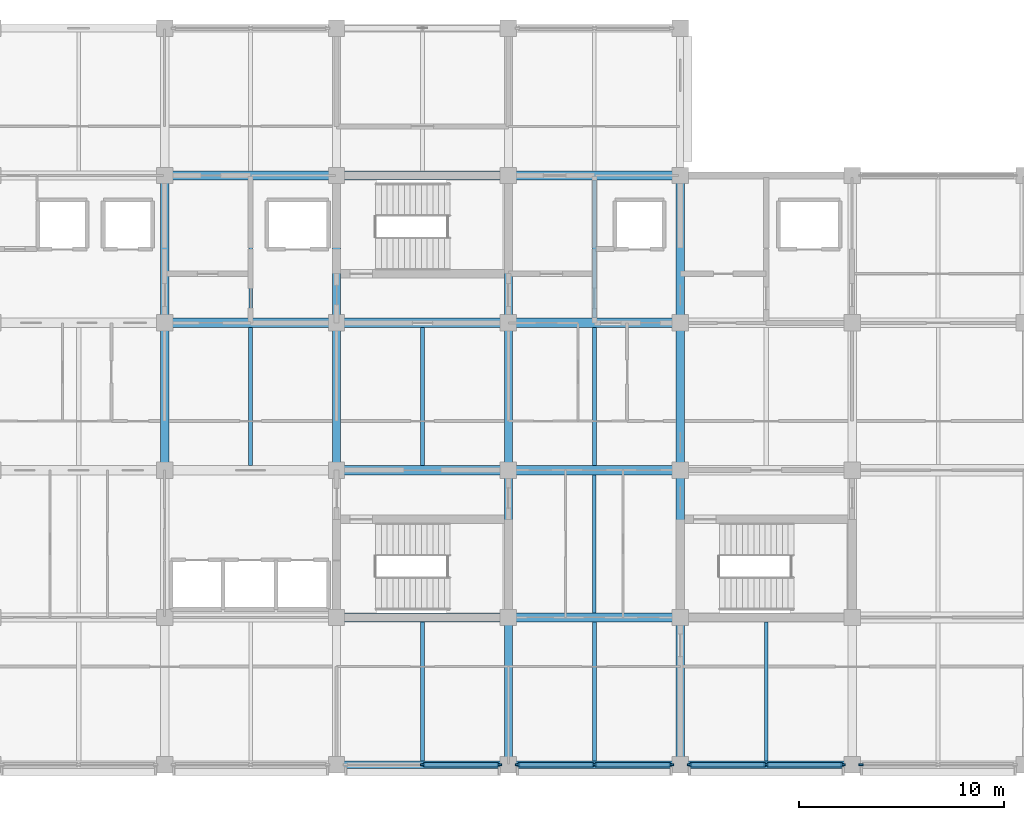
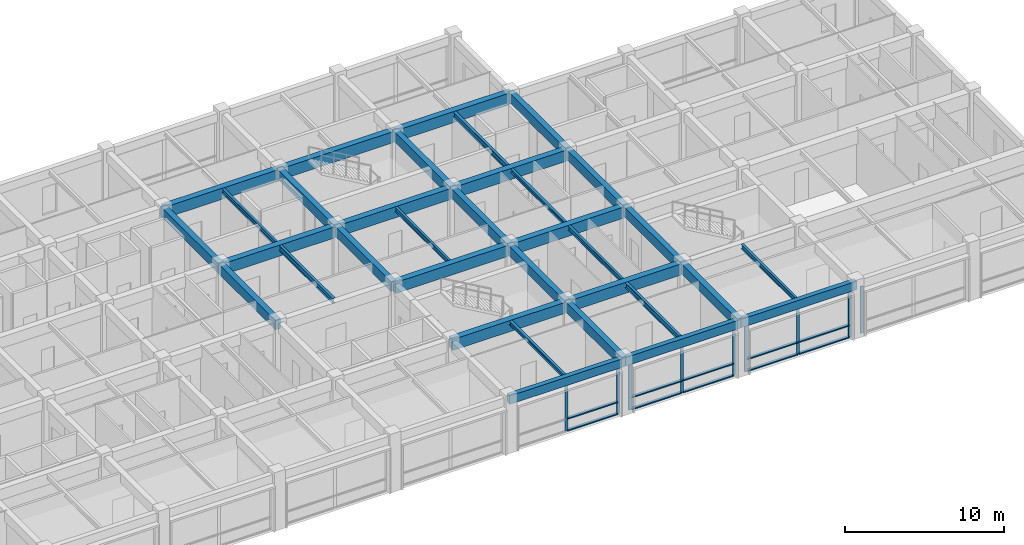
# One storey, part 7 of 30: 34 beams, 24 members, 4 elements without a shape of their own.
"""IFC4 building model written with IfcOpenShell, lengths in metres."""

from ifc_helpers import new_model, si_unit, direction, frame, origin, origin_2d, place, context, subcontext, project, spatial, rectangle, i_section, extrude, material, layer, layer_set, material_profile, profile_set, type_object, element, aggregate, save


model = new_model("IFC4")

# Units and contexts
model_context = context("Model", 3, precision=1e-05, world=origin(), true_north=direction((0.0, 1.0)))
body_context = subcontext(model_context, "Body", "Model", "MODEL_VIEW")
ifc_project = project(units=[si_unit("LENGTHUNIT", "METRE"), si_unit("AREAUNIT", "SQUARE_METRE"), si_unit("VOLUMEUNIT", "CUBIC_METRE"), si_unit("PLANEANGLEUNIT", "RADIAN"), si_unit("MASSUNIT", "GRAM", prefix="KILO")], contexts=[model_context])

# Site, building, storey
site_placement = place(None, origin())
site = spatial("IfcSite", under=ifc_project, at=site_placement, CompositionType="ELEMENT")
building_placement = place(site_placement, origin())
building = spatial("IfcBuilding", under=site, at=building_placement, Name="Chengyuan Square Courthouse", CompositionType="ELEMENT")
storey_placement = place(building_placement, frame((0.0, 0.0, 26.10009765625)))
storey = spatial("IfcBuildingStorey", under=building, at=storey_placement, Name="L06", CompositionType="ELEMENT", Elevation=26.10009765625)

# Beams
ifc_material_1 = material(Name="Concrete C40", Category="concrete")
ifc_material_profile_1 = material_profile(ifc_material_1, rectangle(XDim=0.449951171875, YDim=0.85009765625, at=origin_2d()), Name="RC-BM-450x850")
ifc_profile_set_1 = profile_set([ifc_material_profile_1], Name="Concrete C40")
beam_type_1 = type_object("IfcBeamType", Name="BM-01", PredefinedType="USERDEFINED", material=ifc_profile_set_1)
beam_1_placement = place(storey_placement, frame((100.800048828125, 86.39990234375, 3.81494140625), z_axis=(1.0, 0.0, 0.0), x_axis=(0.0, 1.0, 0.0)))
element("IfcBeam", 1, at=beam_1_placement, inside=storey, type_object=beam_type_1, Name="Girder BM-L06-3408", ObjectType="GIRDER", PredefinedType="USERDEFINED", context=body_context, shape_type="SweptSolid", body=[
    extrude(rectangle(XDim=0.449951171875, YDim=0.85009765625, at=origin_2d()), origin(), (0.0, 0.0, 1.0), 8.39990234375),
])
beam_2_placement = place(storey_placement, frame((109.199951171875, 86.39990234375, 3.81494140625), z_axis=(1.0, 0.0, 0.0), x_axis=(0.0, 1.0, 0.0)))
element("IfcBeam", 2, at=beam_2_placement, inside=storey, type_object=beam_type_1, Name="Girder BM-L06-3409", ObjectType="GIRDER", PredefinedType="USERDEFINED", context=body_context, shape_type="SweptSolid", body=[
    extrude(rectangle(XDim=0.449951171875, YDim=0.85009765625, at=origin_2d()), origin(), (0.0, 0.0, 1.0), 8.400146484375),
])
beam_3_placement = place(storey_placement, frame((100.800048828125, 93.60009765625, 3.81494140625), z_axis=(1.0, 0.0, 0.0), x_axis=(0.0, 1.0, 0.0)))
element("IfcBeam", 3, at=beam_3_placement, inside=storey, type_object=beam_type_1, Name="Girder BM-L06-3420", ObjectType="GIRDER", PredefinedType="USERDEFINED", context=body_context, shape_type="SweptSolid", body=[
    extrude(rectangle(XDim=0.449951171875, YDim=0.85009765625, at=origin_2d()), origin(), (0.0, 0.0, 1.0), 8.39990234375),
])
for number, where, z_axis, x_axis, name in (
    (4, (109.199951171875, 93.60009765625, 3.81494140625), (1.0, 0.0, 0.0), (0.0, 1.0, 0.0), "Girder BM-L06-3421"),
    (5, (92.39990234375, 100.800048828125, 3.81494140625), (1.0, 0.0, 0.0), (0.0, 1.0, 0.0), "Girder BM-L06-3432"),
):
    element("IfcBeam", number, at=place(storey_placement, frame(where, z_axis=z_axis, x_axis=x_axis)), inside=storey, type_object=beam_type_1, Name=name, ObjectType="GIRDER", PredefinedType="USERDEFINED", context=body_context, shape_type="SweptSolid", body=[
        extrude(rectangle(XDim=0.449951171875, YDim=0.85009765625, at=origin_2d()), origin(), (0.0, 0.0, 1.0), 8.400146484375),
    ])
beam_4_placement = place(storey_placement, frame((100.800048828125, 100.800048828125, 3.81494140625), z_axis=(1.0, 0.0, 0.0), x_axis=(0.0, 1.0, 0.0)))
element("IfcBeam", 6, at=beam_4_placement, inside=storey, type_object=beam_type_1, Name="Girder BM-L06-3433", ObjectType="GIRDER", PredefinedType="USERDEFINED", context=body_context, shape_type="SweptSolid", body=[
    extrude(rectangle(XDim=0.449951171875, YDim=0.85009765625, at=origin_2d()), origin(), (0.0, 0.0, 1.0), 8.39990234375),
])
for number, where, z_axis, x_axis, name in (
    (7, (109.199951171875, 100.800048828125, 3.81494140625), (1.0, 0.0, 0.0), (0.0, 1.0, 0.0), "Girder BM-L06-3434"),
    (8, (92.39990234375, 108.0, 3.81494140625), (1.0, 0.0, 0.0), (0.0, 1.0, 0.0), "Girder BM-L06-3446"),
):
    element("IfcBeam", number, at=place(storey_placement, frame(where, z_axis=z_axis, x_axis=x_axis)), inside=storey, type_object=beam_type_1, Name=name, ObjectType="GIRDER", PredefinedType="USERDEFINED", context=body_context, shape_type="SweptSolid", body=[
        extrude(rectangle(XDim=0.449951171875, YDim=0.85009765625, at=origin_2d()), origin(), (0.0, 0.0, 1.0), 8.400146484375),
    ])
beam_5_placement = place(storey_placement, frame((100.800048828125, 108.0, 3.81494140625), z_axis=(1.0, 0.0, 0.0), x_axis=(0.0, 1.0, 0.0)))
element("IfcBeam", 9, at=beam_5_placement, inside=storey, type_object=beam_type_1, Name="Girder BM-L06-3447", ObjectType="GIRDER", PredefinedType="USERDEFINED", context=body_context, shape_type="SweptSolid", body=[
    extrude(rectangle(XDim=0.449951171875, YDim=0.85009765625, at=origin_2d()), origin(), (0.0, 0.0, 1.0), 8.39990234375),
])
beam_6_placement = place(storey_placement, frame((109.199951171875, 108.0, 3.81494140625), z_axis=(1.0, 0.0, 0.0), x_axis=(0.0, 1.0, 0.0)))
element("IfcBeam", 10, at=beam_6_placement, inside=storey, type_object=beam_type_1, Name="Girder BM-L06-3448", ObjectType="GIRDER", PredefinedType="USERDEFINED", context=body_context, shape_type="SweptSolid", body=[
    extrude(rectangle(XDim=0.449951171875, YDim=0.85009765625, at=origin_2d()), origin(), (0.0, 0.0, 1.0), 8.400146484375),
])
ifc_material_profile_2 = material_profile(ifc_material_1, rectangle(XDim=0.39990234375, YDim=0.75, at=origin_2d()), Name="RC-BM-400x750")
ifc_profile_set_2 = profile_set([ifc_material_profile_2], Name="Concrete C40")
beam_type_2 = type_object("IfcBeamType", Name="BM-02", PredefinedType="USERDEFINED", material=ifc_profile_set_2)
for number, where, z_axis, x_axis, name in (
    (11, (92.39990234375, 93.60009765625, 3.864990234375), (0.0, 1.0, 0.0), (-1.0, 0.0, 0.0), "Girder BM-L06-3496"),
    (12, (92.39990234375, 100.800048828125, 3.864990234375), (0.0, 1.0, 0.0), (-1.0, 0.0, 0.0), "Girder BM-L06-3497"),
    (13, (100.800048828125, 93.60009765625, 3.864990234375), (0.0, 1.0, 0.0), (-1.0, 0.0, 0.0), "Girder BM-L06-3501"),
    (14, (100.800048828125, 100.800048828125, 3.864990234375), (0.0, 1.0, 0.0), (-1.0, 0.0, 0.0), "Girder BM-L06-3502"),
    (15, (109.199951171875, 79.199951171875, 3.864990234375), (0.0, 1.0, 0.0), (-1.0, 0.0, 0.0), "Girder BM-L06-3504"),
):
    element("IfcBeam", number, at=place(storey_placement, frame(where, z_axis=z_axis, x_axis=x_axis)), inside=storey, type_object=beam_type_2, Name=name, ObjectType="GIRDER", PredefinedType="USERDEFINED", context=body_context, shape_type="SweptSolid", body=[
        extrude(rectangle(XDim=0.39990234375, YDim=0.75, at=origin_2d()), origin(), (0.0, 0.0, 1.0), 7.199951171875),
    ])
beam_7_placement = place(storey_placement, frame((109.199951171875, 86.39990234375, 3.864990234375), z_axis=(0.0, 1.0, 0.0), x_axis=(-1.0, 0.0, 0.0)))
element("IfcBeam", 16, at=beam_7_placement, inside=storey, type_object=beam_type_2, Name="Girder BM-L06-3505", ObjectType="GIRDER", PredefinedType="USERDEFINED", context=body_context, shape_type="SweptSolid", body=[
    extrude(rectangle(XDim=0.39990234375, YDim=0.75, at=origin_2d()), origin(), (0.0, 0.0, 1.0), 7.2001953125),
])
for number, where, z_axis, x_axis, name in (
    (17, (109.199951171875, 93.60009765625, 3.864990234375), (0.0, 1.0, 0.0), (-1.0, 0.0, 0.0), "Girder BM-L06-3506"),
    (18, (109.199951171875, 100.800048828125, 3.864990234375), (0.0, 1.0, 0.0), (-1.0, 0.0, 0.0), "Girder BM-L06-3507"),
    (19, (117.60009765625, 79.199951171875, 3.864990234375), (0.0, 1.0, 0.0), (-1.0, 0.0, 0.0), "Girder BM-L06-3509"),
):
    element("IfcBeam", number, at=place(storey_placement, frame(where, z_axis=z_axis, x_axis=x_axis)), inside=storey, type_object=beam_type_2, Name=name, ObjectType="GIRDER", PredefinedType="USERDEFINED", context=body_context, shape_type="SweptSolid", body=[
        extrude(rectangle(XDim=0.39990234375, YDim=0.75, at=origin_2d()), origin(), (0.0, 0.0, 1.0), 7.199951171875),
    ])
beam_8_placement = place(storey_placement, frame((117.60009765625, 86.39990234375, 3.864990234375), z_axis=(0.0, 1.0, 0.0), x_axis=(-1.0, 0.0, 0.0)))
element("IfcBeam", 20, at=beam_8_placement, inside=storey, type_object=beam_type_2, Name="Girder BM-L06-3510", ObjectType="GIRDER", PredefinedType="USERDEFINED", context=body_context, shape_type="SweptSolid", body=[
    extrude(rectangle(XDim=0.39990234375, YDim=0.75, at=origin_2d()), origin(), (0.0, 0.0, 1.0), 7.2001953125),
])
for number, where, z_axis, x_axis, name in (
    (21, (117.60009765625, 93.60009765625, 3.864990234375), (0.0, 1.0, 0.0), (-1.0, 0.0, 0.0), "Girder BM-L06-3511"),
    (22, (117.60009765625, 100.800048828125, 3.864990234375), (0.0, 1.0, 0.0), (-1.0, 0.0, 0.0), "Girder BM-L06-3512"),
):
    element("IfcBeam", number, at=place(storey_placement, frame(where, z_axis=z_axis, x_axis=x_axis)), inside=storey, type_object=beam_type_2, Name=name, ObjectType="GIRDER", PredefinedType="USERDEFINED", context=body_context, shape_type="SweptSolid", body=[
        extrude(rectangle(XDim=0.39990234375, YDim=0.75, at=origin_2d()), origin(), (0.0, 0.0, 1.0), 7.199951171875),
    ])
ifc_material_profile_3 = material_profile(ifc_material_1, rectangle(XDim=0.35009765625, YDim=0.64990234375, at=origin_2d()), Name="RC-BM-350x650")
ifc_profile_set_3 = profile_set([ifc_material_profile_3], Name="Concrete C40")
beam_type_3 = type_object("IfcBeamType", Name="BM-03", PredefinedType="SPANDREL", material=ifc_profile_set_3)
beam_9_placement = place(storey_placement, frame((100.800048828125, 79.199951171875, 3.914794921875), z_axis=(1.0, 0.0, 0.0), x_axis=(0.0, 1.0, 0.0)))
element("IfcBeam", 23, at=beam_9_placement, inside=storey, type_object=beam_type_3, Name="Girder BM-L06-3395", PredefinedType="SPANDREL", context=body_context, shape_type="SweptSolid", body=[
    extrude(rectangle(XDim=0.35009765625, YDim=0.64990234375, at=origin_2d()), origin(), (0.0, 0.0, 1.0), 8.39990234375),
])
beam_10_placement = place(storey_placement, frame((109.199951171875, 79.199951171875, 3.914794921875), z_axis=(1.0, 0.0, 0.0), x_axis=(0.0, 1.0, 0.0)))
element("IfcBeam", 24, at=beam_10_placement, inside=storey, type_object=beam_type_3, Name="Girder BM-L06-3396", PredefinedType="SPANDREL", context=body_context, shape_type="SweptSolid", body=[
    extrude(rectangle(XDim=0.35009765625, YDim=0.64990234375, at=origin_2d()), origin(), (0.0, 0.0, 1.0), 8.400146484375),
])
beam_11_placement = place(storey_placement, frame((117.60009765625, 79.199951171875, 3.914794921875), z_axis=(1.0, 0.0, 0.0), x_axis=(0.0, 1.0, 0.0)))
element("IfcBeam", 25, at=beam_11_placement, inside=storey, type_object=beam_type_3, Name="Girder BM-L06-3397", PredefinedType="SPANDREL", context=body_context, shape_type="SweptSolid", body=[
    extrude(rectangle(XDim=0.35009765625, YDim=0.64990234375, at=origin_2d()), origin(), (0.0, 0.0, 1.0), 8.39990234375),
])
ifc_material_2 = material(Name="Steel Q355B", Category="steel")
ifc_material_profile_4 = material_profile(ifc_material_2, i_section(OverallWidth=0.199951171875, OverallDepth=0.39990234375, WebThickness=0.008056640625, FlangeThickness=0.012939453125, at=origin_2d()), Name="HN 400x200x8x13")
ifc_profile_set_4 = profile_set([ifc_material_profile_4], Name="Steel Q355B")
beam_type_4 = type_object("IfcBeamType", Name="BM-07", PredefinedType="BEAM", material=ifc_profile_set_4)
beam_12_placement = place(storey_placement, frame((96.60009765625, 93.824951171875, 4.039794921875), z_axis=(0.0, 1.0, 0.0), x_axis=(-1.0, 0.0, 0.0)))
element("IfcBeam", 26, at=beam_12_placement, inside=storey, type_object=beam_type_4, Name="Secondary Floor Beam SBM-L06-3555", PredefinedType="BEAM", context=body_context, shape_type="SweptSolid", body=[
    extrude(i_section(OverallWidth=0.199951171875, OverallDepth=0.39990234375, WebThickness=0.008056640625, FlangeThickness=0.012939453125, at=origin_2d()), origin(), (0.0, 0.0, 1.0), 6.75),
])
beam_13_placement = place(storey_placement, frame((113.39990234375, 79.375, 4.039794921875), z_axis=(0.0, 1.0, 0.0), x_axis=(-1.0, 0.0, 0.0)))
element("IfcBeam", 27, at=beam_13_placement, inside=storey, type_object=beam_type_4, Name="Secondary Floor Beam SBM-L06-3561", PredefinedType="BEAM", context=body_context, shape_type="SweptSolid", body=[
    extrude(i_section(OverallWidth=0.199951171875, OverallDepth=0.39990234375, WebThickness=0.008056640625, FlangeThickness=0.012939453125, at=origin_2d()), origin(), (0.0, 0.0, 1.0), 6.800048828125),
])
beam_14_placement = place(storey_placement, frame((113.39990234375, 101.02490234375, 4.039794921875), z_axis=(0.0, 1.0, 0.0), x_axis=(-1.0, 0.0, 0.0)))
element("IfcBeam", 28, at=beam_14_placement, inside=storey, type_object=beam_type_4, Name="Secondary Floor Beam SBM-L06-3564", PredefinedType="BEAM", context=body_context, shape_type="SweptSolid", body=[
    extrude(i_section(OverallWidth=0.199951171875, OverallDepth=0.39990234375, WebThickness=0.008056640625, FlangeThickness=0.012939453125, at=origin_2d()), origin(), (0.0, 0.0, 1.0), 6.75),
])
ifc_material_profile_5 = material_profile(ifc_material_2, i_section(OverallWidth=0.175048828125, OverallDepth=0.35009765625, WebThickness=0.007080078125, FlangeThickness=0.010986328125, at=origin_2d()), Name="HN 350x175x7x11")
ifc_profile_set_5 = profile_set([ifc_material_profile_5], Name="Steel Q355B")
beam_type_5 = type_object("IfcBeamType", Name="BM-08", PredefinedType="BEAM", material=ifc_profile_set_5)
for number, where, z_axis, x_axis, name in (
    (29, (96.60009765625, 101.02490234375, 4.06494140625), (0.0, 1.0, 0.0), (-1.0, 0.0, 0.0), "Secondary Floor Beam SBM-L06-3556"),
    (30, (105.0, 93.824951171875, 4.06494140625), (0.0, 1.0, 0.0), (-1.0, 0.0, 0.0), "Secondary Floor Beam SBM-L06-3559"),
    (31, (113.39990234375, 86.625, 4.06494140625), (0.0, 1.0, 0.0), (-1.0, 0.0, 0.0), "Secondary Floor Beam SBM-L06-3562"),
):
    element("IfcBeam", number, at=place(storey_placement, frame(where, z_axis=z_axis, x_axis=x_axis)), inside=storey, type_object=beam_type_5, Name=name, PredefinedType="BEAM", context=body_context, shape_type="SweptSolid", body=[
        extrude(i_section(OverallWidth=0.175048828125, OverallDepth=0.35009765625, WebThickness=0.007080078125, FlangeThickness=0.010986328125, at=origin_2d()), origin(), (0.0, 0.0, 1.0), 6.75),
    ])
beam_15_placement = place(storey_placement, frame((121.800048828125, 79.375, 4.06494140625), z_axis=(0.0, 1.0, 0.0), x_axis=(-1.0, 0.0, 0.0)))
element("IfcBeam", 32, at=beam_15_placement, inside=storey, type_object=beam_type_5, Name="Secondary Floor Beam SBM-L06-3566", PredefinedType="BEAM", context=body_context, shape_type="SweptSolid", body=[
    extrude(i_section(OverallWidth=0.175048828125, OverallDepth=0.35009765625, WebThickness=0.007080078125, FlangeThickness=0.010986328125, at=origin_2d()), origin(), (0.0, 0.0, 1.0), 6.800048828125),
])
ifc_material_profile_6 = material_profile(ifc_material_2, i_section(OverallWidth=0.199951171875, OverallDepth=0.300048828125, WebThickness=0.008056640625, FlangeThickness=0.011962890625, at=origin_2d()), Name="HM 300x200x8x12")
ifc_profile_set_6 = profile_set([ifc_material_profile_6], Name="Steel Q355B")
beam_type_6 = type_object("IfcBeamType", Name="BM-09", PredefinedType="BEAM", material=ifc_profile_set_6)
beam_16_placement = place(storey_placement, frame((105.0, 79.375, 4.08984375), z_axis=(0.0, 1.0, 0.0), x_axis=(-1.0, 0.0, 0.0)))
element("IfcBeam", 33, at=beam_16_placement, inside=storey, type_object=beam_type_6, Name="Secondary Floor Beam SBM-L06-3558", PredefinedType="BEAM", context=body_context, shape_type="SweptSolid", body=[
    extrude(i_section(OverallWidth=0.199951171875, OverallDepth=0.300048828125, WebThickness=0.008056640625, FlangeThickness=0.011962890625, at=origin_2d()), origin(), (0.0, 0.0, 1.0), 6.800048828125),
])
beam_17_placement = place(storey_placement, frame((113.39990234375, 93.824951171875, 4.08984375), z_axis=(0.0, 1.0, 0.0), x_axis=(-1.0, 0.0, 0.0)))
element("IfcBeam", 34, at=beam_17_placement, inside=storey, type_object=beam_type_6, Name="Secondary Floor Beam SBM-L06-3563", PredefinedType="BEAM", context=body_context, shape_type="SweptSolid", body=[
    extrude(i_section(OverallWidth=0.199951171875, OverallDepth=0.300048828125, WebThickness=0.008056640625, FlangeThickness=0.011962890625, at=origin_2d()), origin(), (0.0, 0.0, 1.0), 6.75),
])

# Curtain wall, members
ifc_material_3 = material(Name="Unitised Aluminium and Triple Low-E Glass", Category="aluminium")
ifc_layer = layer(ifc_material_3, 0.219970703125)
ifc_layer_set = layer_set([ifc_layer], Name="Unitised Aluminium and Triple Low-E Glass")
curtain_wall_type = type_object("IfcCurtainWallType", Name="CW-16", PredefinedType="USERDEFINED", material=ifc_layer_set)
curtain_wall_1_placement = place(storey_placement, origin())
curtain_wall_1 = element("IfcCurtainWall", 35, at=curtain_wall_1_placement, inside=storey, type_object=curtain_wall_type, Name="Unitised Curtain Wall CW-L06-194", ObjectType="UNITISED CURTAIN WALL", PredefinedType="USERDEFINED")
ifc_material_4 = material(Name="Aluminium 6063-T6 Frame", Category="aluminium")
ifc_material_profile_7 = material_profile(ifc_material_4, rectangle(XDim=0.080078125, YDim=0.219970703125, at=origin_2d()), Name="CW-MUL-80x220")
ifc_profile_set_7 = profile_set([ifc_material_profile_7], Name="Aluminium 6063-T6 Frame")
member_type_1 = type_object("IfcMemberType", Name="CWM-04", PredefinedType="MULLION", material=ifc_profile_set_7)
member_1_placement = place(storey_placement, frame((105.0, 79.199951171875, 0.0), z_axis=(0.0, 0.0, 1.0), x_axis=(0.0, 1.0, 0.0)))
member_1 = element("IfcMember", 36, at=member_1_placement, type_object=member_type_1, Name="CW-16 mullion 2", PredefinedType="MULLION", context=body_context, shape_type="SweptSolid", body=[
    extrude(rectangle(XDim=0.080078125, YDim=0.219970703125, at=origin_2d()), origin(), (0.0, 0.0, 1.0), 3.58984375),
])
member_2_placement = place(storey_placement, frame((108.760009765625, 79.199951171875, 0.0), z_axis=(0.0, 0.0, 1.0), x_axis=(0.0, 1.0, 0.0)))
member_2 = element("IfcMember", 37, at=member_2_placement, type_object=member_type_1, Name="CW-16 mullion 3", PredefinedType="MULLION", context=body_context, shape_type="SweptSolid", body=[
    extrude(rectangle(XDim=0.080078125, YDim=0.219970703125, at=origin_2d()), origin(), (0.0, 0.0, 1.0), 3.58984375),
])

curtain_wall_2_placement = place(storey_placement, origin())
curtain_wall_2 = element("IfcCurtainWall", 38, at=curtain_wall_2_placement, inside=storey, type_object=curtain_wall_type, Name="Unitised Curtain Wall CW-L06-195", ObjectType="UNITISED CURTAIN WALL", PredefinedType="USERDEFINED")
member_3_placement = place(storey_placement, frame((109.639892578125, 79.199951171875, 0.0), z_axis=(0.0, 0.0, 1.0), x_axis=(0.0, 1.0, 0.0)))
member_3 = element("IfcMember", 39, at=member_3_placement, type_object=member_type_1, Name="CW-16 mullion 1", PredefinedType="MULLION", context=body_context, shape_type="SweptSolid", body=[
    extrude(rectangle(XDim=0.080078125, YDim=0.219970703125, at=origin_2d()), origin(), (0.0, 0.0, 1.0), 3.58984375),
])
member_4_placement = place(storey_placement, frame((113.39990234375, 79.199951171875, 0.0), z_axis=(0.0, 0.0, 1.0), x_axis=(0.0, 1.0, 0.0)))
member_4 = element("IfcMember", 40, at=member_4_placement, type_object=member_type_1, Name="CW-16 mullion 2", PredefinedType="MULLION", context=body_context, shape_type="SweptSolid", body=[
    extrude(rectangle(XDim=0.080078125, YDim=0.219970703125, at=origin_2d()), origin(), (0.0, 0.0, 1.0), 3.58984375),
])
member_5_placement = place(storey_placement, frame((117.159912109375, 79.199951171875, 0.0), z_axis=(0.0, 0.0, 1.0), x_axis=(0.0, 1.0, 0.0)))
member_5 = element("IfcMember", 41, at=member_5_placement, type_object=member_type_1, Name="CW-16 mullion 3", PredefinedType="MULLION", context=body_context, shape_type="SweptSolid", body=[
    extrude(rectangle(XDim=0.080078125, YDim=0.219970703125, at=origin_2d()), origin(), (0.0, 0.0, 1.0), 3.58984375),
])

curtain_wall_3_placement = place(storey_placement, origin())
curtain_wall_3 = element("IfcCurtainWall", 42, at=curtain_wall_3_placement, inside=storey, type_object=curtain_wall_type, Name="Unitised Curtain Wall CW-L06-197", ObjectType="UNITISED CURTAIN WALL", PredefinedType="USERDEFINED")
member_6_placement = place(storey_placement, frame((118.0400390625, 79.199951171875, 0.0), z_axis=(0.0, 0.0, 1.0), x_axis=(0.0, 1.0, 0.0)))
member_6 = element("IfcMember", 43, at=member_6_placement, type_object=member_type_1, Name="CW-16 mullion 1", PredefinedType="MULLION", context=body_context, shape_type="SweptSolid", body=[
    extrude(rectangle(XDim=0.080078125, YDim=0.219970703125, at=origin_2d()), origin(), (0.0, 0.0, 1.0), 3.58984375),
])
member_7_placement = place(storey_placement, frame((121.800048828125, 79.199951171875, 0.0), z_axis=(0.0, 0.0, 1.0), x_axis=(0.0, 1.0, 0.0)))
member_7 = element("IfcMember", 44, at=member_7_placement, type_object=member_type_1, Name="CW-16 mullion 2", PredefinedType="MULLION", context=body_context, shape_type="SweptSolid", body=[
    extrude(rectangle(XDim=0.080078125, YDim=0.219970703125, at=origin_2d()), origin(), (0.0, 0.0, 1.0), 3.58984375),
])
member_8_placement = place(storey_placement, frame((125.56005859375, 79.199951171875, 0.0), z_axis=(0.0, 0.0, 1.0), x_axis=(0.0, 1.0, 0.0)))
member_8 = element("IfcMember", 45, at=member_8_placement, type_object=member_type_1, Name="CW-16 mullion 3", PredefinedType="MULLION", context=body_context, shape_type="SweptSolid", body=[
    extrude(rectangle(XDim=0.080078125, YDim=0.219970703125, at=origin_2d()), origin(), (0.0, 0.0, 1.0), 3.58984375),
])

# Curtain wall, member
curtain_wall_4_placement = place(storey_placement, origin())
curtain_wall_4 = element("IfcCurtainWall", 46, at=curtain_wall_4_placement, inside=storey, type_object=curtain_wall_type, Name="Unitised Curtain Wall CW-L06-198", ObjectType="UNITISED CURTAIN WALL", PredefinedType="USERDEFINED")
member_9_placement = place(storey_placement, frame((126.43994140625, 79.199951171875, 0.0), z_axis=(0.0, 0.0, 1.0), x_axis=(0.0, 1.0, 0.0)))
member_9 = element("IfcMember", 47, at=member_9_placement, type_object=member_type_1, Name="CW-16 mullion 1", PredefinedType="MULLION", context=body_context, shape_type="SweptSolid", body=[
    extrude(rectangle(XDim=0.080078125, YDim=0.219970703125, at=origin_2d()), origin(), (0.0, 0.0, 1.0), 3.58984375),
])
aggregate(curtain_wall_4, [member_9])

# Member
ifc_material_profile_8 = material_profile(ifc_material_4, rectangle(XDim=0.219970703125, YDim=0.080078125, at=origin_2d()), Name="CW-TRN-80x180")
ifc_profile_set_8 = profile_set([ifc_material_profile_8], Name="Aluminium 6063-T6 Frame")
member_type_2 = type_object("IfcMemberType", Name="CWT-04", PredefinedType="USERDEFINED", material=ifc_profile_set_8)
member_10_placement = place(storey_placement, frame((105.0400390625, 79.199951171875, 0.039794921875), z_axis=(1.0, 0.0, 0.0), x_axis=(0.0, 1.0, 0.0)))
member_10 = element("IfcMember", 48, at=member_10_placement, type_object=member_type_2, Name="CW-16 transom 2.1", ObjectType="TRANSOM", PredefinedType="USERDEFINED", context=body_context, shape_type="SweptSolid", body=[
    extrude(rectangle(XDim=0.219970703125, YDim=0.080078125, at=origin_2d()), origin(), (0.0, 0.0, 1.0), 3.679931640625),
])

member_11_placement = place(storey_placement, frame((105.0400390625, 79.199951171875, 0.949951171875), z_axis=(1.0, 0.0, 0.0), x_axis=(0.0, 1.0, 0.0)))
member_11 = element("IfcMember", 49, at=member_11_placement, type_object=member_type_2, Name="CW-16 transom 2.2", ObjectType="TRANSOM", PredefinedType="USERDEFINED", context=body_context, shape_type="SweptSolid", body=[
    extrude(rectangle(XDim=0.219970703125, YDim=0.080078125, at=origin_2d()), origin(), (0.0, 0.0, 1.0), 3.679931640625),
])

member_12_placement = place(storey_placement, frame((105.0400390625, 79.199951171875, 3.5498046875), z_axis=(1.0, 0.0, 0.0), x_axis=(0.0, 1.0, 0.0)))
member_12 = element("IfcMember", 50, at=member_12_placement, type_object=member_type_2, Name="CW-16 transom 2.3", ObjectType="TRANSOM", PredefinedType="USERDEFINED", context=body_context, shape_type="SweptSolid", body=[
    extrude(rectangle(XDim=0.219970703125, YDim=0.080078125, at=origin_2d()), origin(), (0.0, 0.0, 1.0), 3.679931640625),
])

aggregate(curtain_wall_1, [member_1, member_2, member_10, member_11, member_12])

member_13_placement = place(storey_placement, frame((109.679931640625, 79.199951171875, 0.039794921875), z_axis=(1.0, 0.0, 0.0), x_axis=(0.0, 1.0, 0.0)))
member_13 = element("IfcMember", 51, at=member_13_placement, type_object=member_type_2, Name="CW-16 transom 1.1", ObjectType="TRANSOM", PredefinedType="USERDEFINED", context=body_context, shape_type="SweptSolid", body=[
    extrude(rectangle(XDim=0.219970703125, YDim=0.080078125, at=origin_2d()), origin(), (0.0, 0.0, 1.0), 3.68017578125),
])

member_14_placement = place(storey_placement, frame((109.679931640625, 79.199951171875, 0.949951171875), z_axis=(1.0, 0.0, 0.0), x_axis=(0.0, 1.0, 0.0)))
member_14 = element("IfcMember", 52, at=member_14_placement, type_object=member_type_2, Name="CW-16 transom 1.2", ObjectType="TRANSOM", PredefinedType="USERDEFINED", context=body_context, shape_type="SweptSolid", body=[
    extrude(rectangle(XDim=0.219970703125, YDim=0.080078125, at=origin_2d()), origin(), (0.0, 0.0, 1.0), 3.68017578125),
])

member_15_placement = place(storey_placement, frame((109.679931640625, 79.199951171875, 3.5498046875), z_axis=(1.0, 0.0, 0.0), x_axis=(0.0, 1.0, 0.0)))
member_15 = element("IfcMember", 53, at=member_15_placement, type_object=member_type_2, Name="CW-16 transom 1.3", ObjectType="TRANSOM", PredefinedType="USERDEFINED", context=body_context, shape_type="SweptSolid", body=[
    extrude(rectangle(XDim=0.219970703125, YDim=0.080078125, at=origin_2d()), origin(), (0.0, 0.0, 1.0), 3.68017578125),
])

member_16_placement = place(storey_placement, frame((113.43994140625, 79.199951171875, 0.039794921875), z_axis=(1.0, 0.0, 0.0), x_axis=(0.0, 1.0, 0.0)))
member_16 = element("IfcMember", 54, at=member_16_placement, type_object=member_type_2, Name="CW-16 transom 2.1", ObjectType="TRANSOM", PredefinedType="USERDEFINED", context=body_context, shape_type="SweptSolid", body=[
    extrude(rectangle(XDim=0.219970703125, YDim=0.080078125, at=origin_2d()), origin(), (0.0, 0.0, 1.0), 3.68017578125),
])

member_17_placement = place(storey_placement, frame((113.43994140625, 79.199951171875, 0.949951171875), z_axis=(1.0, 0.0, 0.0), x_axis=(0.0, 1.0, 0.0)))
member_17 = element("IfcMember", 55, at=member_17_placement, type_object=member_type_2, Name="CW-16 transom 2.2", ObjectType="TRANSOM", PredefinedType="USERDEFINED", context=body_context, shape_type="SweptSolid", body=[
    extrude(rectangle(XDim=0.219970703125, YDim=0.080078125, at=origin_2d()), origin(), (0.0, 0.0, 1.0), 3.68017578125),
])

member_18_placement = place(storey_placement, frame((113.43994140625, 79.199951171875, 3.5498046875), z_axis=(1.0, 0.0, 0.0), x_axis=(0.0, 1.0, 0.0)))
member_18 = element("IfcMember", 56, at=member_18_placement, type_object=member_type_2, Name="CW-16 transom 2.3", ObjectType="TRANSOM", PredefinedType="USERDEFINED", context=body_context, shape_type="SweptSolid", body=[
    extrude(rectangle(XDim=0.219970703125, YDim=0.080078125, at=origin_2d()), origin(), (0.0, 0.0, 1.0), 3.68017578125),
])

aggregate(curtain_wall_2, [member_3, member_4, member_5, member_13, member_14, member_15, member_16, member_17, member_18])

member_19_placement = place(storey_placement, frame((118.080078125, 79.199951171875, 0.039794921875), z_axis=(1.0, 0.0, 0.0), x_axis=(0.0, 1.0, 0.0)))
member_19 = element("IfcMember", 57, at=member_19_placement, type_object=member_type_2, Name="CW-16 transom 1.1", ObjectType="TRANSOM", PredefinedType="USERDEFINED", context=body_context, shape_type="SweptSolid", body=[
    extrude(rectangle(XDim=0.219970703125, YDim=0.080078125, at=origin_2d()), origin(), (0.0, 0.0, 1.0), 3.679931640625),
])

member_20_placement = place(storey_placement, frame((118.080078125, 79.199951171875, 0.949951171875), z_axis=(1.0, 0.0, 0.0), x_axis=(0.0, 1.0, 0.0)))
member_20 = element("IfcMember", 58, at=member_20_placement, type_object=member_type_2, Name="CW-16 transom 1.2", ObjectType="TRANSOM", PredefinedType="USERDEFINED", context=body_context, shape_type="SweptSolid", body=[
    extrude(rectangle(XDim=0.219970703125, YDim=0.080078125, at=origin_2d()), origin(), (0.0, 0.0, 1.0), 3.679931640625),
])

member_21_placement = place(storey_placement, frame((118.080078125, 79.199951171875, 3.5498046875), z_axis=(1.0, 0.0, 0.0), x_axis=(0.0, 1.0, 0.0)))
member_21 = element("IfcMember", 59, at=member_21_placement, type_object=member_type_2, Name="CW-16 transom 1.3", ObjectType="TRANSOM", PredefinedType="USERDEFINED", context=body_context, shape_type="SweptSolid", body=[
    extrude(rectangle(XDim=0.219970703125, YDim=0.080078125, at=origin_2d()), origin(), (0.0, 0.0, 1.0), 3.679931640625),
])

member_22_placement = place(storey_placement, frame((121.840087890625, 79.199951171875, 0.039794921875), z_axis=(1.0, 0.0, 0.0), x_axis=(0.0, 1.0, 0.0)))
member_22 = element("IfcMember", 60, at=member_22_placement, type_object=member_type_2, Name="CW-16 transom 2.1", ObjectType="TRANSOM", PredefinedType="USERDEFINED", context=body_context, shape_type="SweptSolid", body=[
    extrude(rectangle(XDim=0.219970703125, YDim=0.080078125, at=origin_2d()), origin(), (0.0, 0.0, 1.0), 3.679931640625),
])

member_23_placement = place(storey_placement, frame((121.840087890625, 79.199951171875, 0.949951171875), z_axis=(1.0, 0.0, 0.0), x_axis=(0.0, 1.0, 0.0)))
member_23 = element("IfcMember", 61, at=member_23_placement, type_object=member_type_2, Name="CW-16 transom 2.2", ObjectType="TRANSOM", PredefinedType="USERDEFINED", context=body_context, shape_type="SweptSolid", body=[
    extrude(rectangle(XDim=0.219970703125, YDim=0.080078125, at=origin_2d()), origin(), (0.0, 0.0, 1.0), 3.679931640625),
])

member_24_placement = place(storey_placement, frame((121.840087890625, 79.199951171875, 3.5498046875), z_axis=(1.0, 0.0, 0.0), x_axis=(0.0, 1.0, 0.0)))
member_24 = element("IfcMember", 62, at=member_24_placement, type_object=member_type_2, Name="CW-16 transom 2.3", ObjectType="TRANSOM", PredefinedType="USERDEFINED", context=body_context, shape_type="SweptSolid", body=[
    extrude(rectangle(XDim=0.219970703125, YDim=0.080078125, at=origin_2d()), origin(), (0.0, 0.0, 1.0), 3.679931640625),
])

aggregate(curtain_wall_3, [member_6, member_7, member_8, member_19, member_20, member_21, member_22, member_23, member_24])

save(model, "model.ifc")
